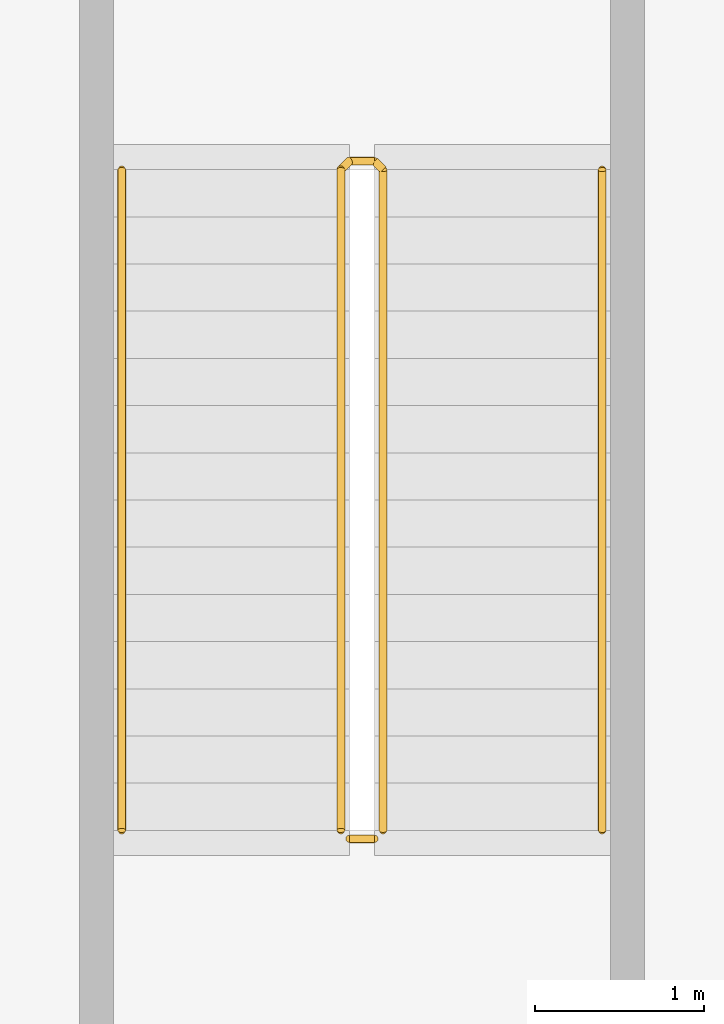
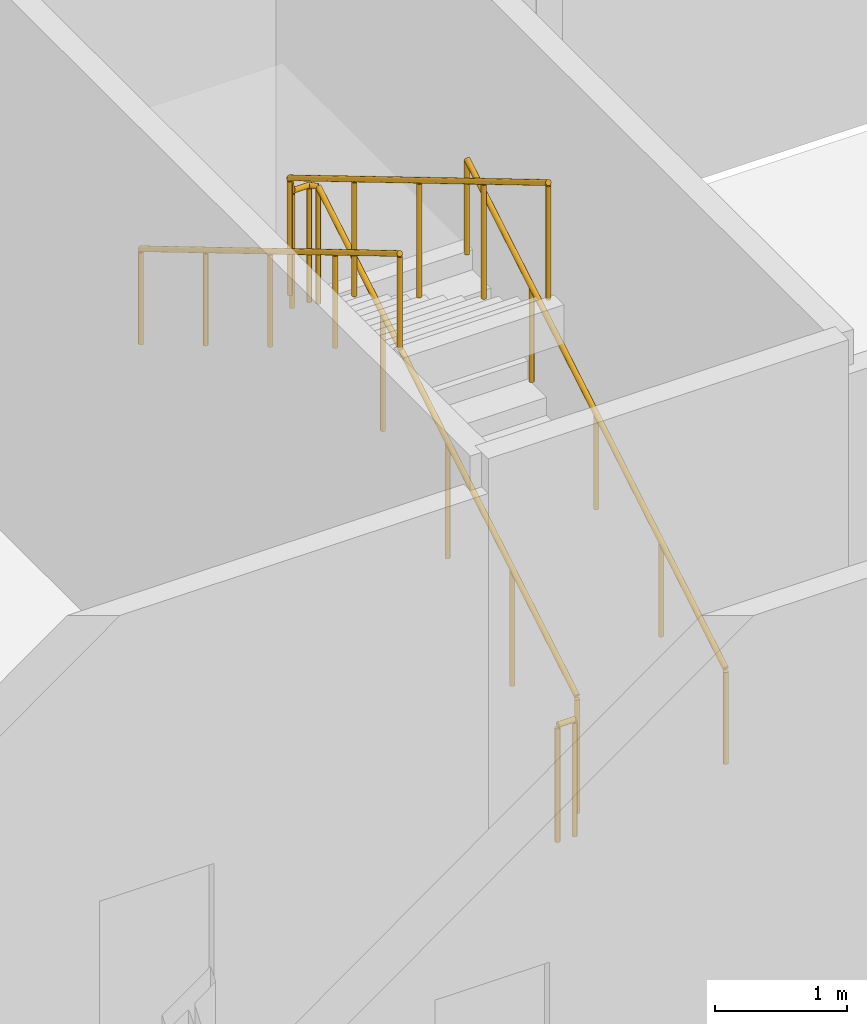
# One storey, part 45 of 47: 4 railings.
"""IFC4 building model written with IfcOpenShell, lengths in metres."""

from ifc_helpers import new_model, si_unit, direction, frame, origin, origin_2d, place, context, subcontext, project, spatial, circle, extrude, material, type_object, element, save


model = new_model("IFC4")

# Units and contexts
model_context = context("Model", 3, precision=1e-05, world=origin(), true_north=direction((0.0, 1.0)))
body_context = subcontext(model_context, "Body", "Model", "MODEL_VIEW")
ifc_project = project(units=[si_unit("LENGTHUNIT", "METRE"), si_unit("AREAUNIT", "SQUARE_METRE"), si_unit("VOLUMEUNIT", "CUBIC_METRE"), si_unit("PLANEANGLEUNIT", "RADIAN"), si_unit("MASSUNIT", "GRAM", prefix="KILO")], contexts=[model_context])

# Site, building, storey
site_placement = place(None, origin())
site = spatial("IfcSite", under=ifc_project, at=site_placement, CompositionType="ELEMENT")
building_placement = place(site_placement, origin())
building = spatial("IfcBuilding", under=site, at=building_placement, Name="Kheshtan School and Residences Tower", CompositionType="ELEMENT")
storey_placement = place(building_placement, frame((0.0, 0.0, 7.5)))
storey = spatial("IfcBuildingStorey", under=building, at=storey_placement, Name="L01", CompositionType="ELEMENT", Elevation=7.5)

# Railings
ifc_material_1 = material(Name="Stainless steel balustrade", Category="steel")
railing_type_1 = type_object("IfcRailingType", Name="Stair guard 1100", PredefinedType="GUARDRAIL", material=ifc_material_1)
railing_1_placement = place(storey_placement, frame((63.699951171875, 103.10009765625, 0.166748046875)))
element("IfcRailing", 1, at=railing_1_placement, inside=storey, type_object=railing_type_1, Name="L01 PS-062-102 stair guard 1", PredefinedType="GUARDRAIL", context=body_context, shape_type="SweptSolid", body=[
    extrude(circle(Radius=0.02392578125, at=origin_2d()), frame((0.0, 0.0, 1.076171875), z_axis=(0.0, 0.859296244711, 0.511478214419), x_axis=(-1.0, 0.0, 0.0)), (0.0, 0.0, 1.0), 4.561767578125),
    extrude(circle(Radius=0.02392578125, at=origin_2d()), frame((0.0, 3.919921875, 3.4091796875), z_axis=(-0.707106781187, 0.707106781187, 0.0), x_axis=(-0.707106781187, -0.707106781187, 0.0)), (0.0, 0.0, 1.0), 0.07080078125),
    extrude(circle(Radius=0.02392578125, at=origin_2d()), frame((-0.050048828125, 3.969970703125, 3.4091796875), z_axis=(-1.0, 0.0, 0.0), x_axis=(0.0, -1.0, 0.0)), (0.0, 0.0, 1.0), 0.14990234375),
    extrude(circle(Radius=0.02392578125, at=origin_2d()), frame((-0.199951171875, 3.969970703125, 3.4091796875), z_axis=(-0.27628659633, -0.27628659633, 0.920506074601), x_axis=(0.707106781187, -0.707106781187, 0.0)), (0.0, 0.0, 1.0), 0.18115234375),
    extrude(circle(Radius=0.02392578125, at=origin_2d()), frame((-0.25, 3.919921875, 3.576171875), z_axis=(0.0, -0.859296244711, 0.511478214419), x_axis=(1.0, 0.0, 0.0)), (0.0, 0.0, 1.0), 4.561767578125),
    extrude(circle(Radius=0.02099609375, at=origin_2d()), origin(), (0.0, 0.0, 1.0), 1.052001953125),
    extrude(circle(Radius=0.02099609375, at=origin_2d()), frame((0.0, 0.97998046875, 0.583251953125)), (0.0, 0.0, 1.0), 1.052001953125),
    extrude(circle(Radius=0.02099609375, at=origin_2d()), frame((0.0, 1.9599609375, 1.16650390625)), (0.0, 0.0, 1.0), 1.052001953125),
    extrude(circle(Radius=0.02099609375, at=origin_2d()), frame((0.0, 2.93994140625, 1.75)), (0.0, 0.0, 1.0), 1.052001953125),
    extrude(circle(Radius=0.02099609375, at=origin_2d()), frame((0.0, 3.919921875, 2.333251953125)), (0.0, 0.0, 1.0), 1.052001953125),
    extrude(circle(Radius=0.02099609375, at=origin_2d()), frame((-0.050048828125, 3.969970703125, 2.333251953125)), (0.0, 0.0, 1.0), 1.052001953125),
    extrude(circle(Radius=0.02099609375, at=origin_2d()), frame((-0.199951171875, 3.969970703125, 2.333251953125)), (0.0, 0.0, 1.0), 1.052001953125),
    extrude(circle(Radius=0.02099609375, at=origin_2d()), frame((-0.25, 3.919921875, 2.5)), (0.0, 0.0, 1.0), 1.052001953125),
    extrude(circle(Radius=0.02099609375, at=origin_2d()), frame((-0.25, 2.93994140625, 3.083251953125)), (0.0, 0.0, 1.0), 1.052001953125),
    extrude(circle(Radius=0.02099609375, at=origin_2d()), frame((-0.25, 1.9599609375, 3.66650390625)), (0.0, 0.0, 1.0), 1.052001953125),
    extrude(circle(Radius=0.02099609375, at=origin_2d()), frame((-0.25, 0.97998046875, 4.25)), (0.0, 0.0, 1.0), 1.052001953125),
    extrude(circle(Radius=0.02099609375, at=origin_2d()), frame((-0.25, 0.0, 4.833251953125)), (0.0, 0.0, 1.0), 1.052001953125),
])
railing_2_placement = place(storey_placement, frame((63.64990234375, 103.050048828125, 0.0)))
element("IfcRailing", 2, at=railing_2_placement, inside=storey, type_object=railing_type_1, Name="L01 PS-062-102 stair guard 2", PredefinedType="GUARDRAIL", context=body_context, shape_type="SweptSolid", body=[
    extrude(circle(Radius=0.02392578125, at=origin_2d()), frame((0.0, 0.0, 1.076171875), z_axis=(-1.0, 0.0, 0.0), x_axis=(0.0, -1.0, 0.0)), (0.0, 0.0, 1.0), 0.14990234375),
    extrude(circle(Radius=0.02099609375, at=origin_2d()), origin(), (0.0, 0.0, 1.0), 1.052001953125),
    extrude(circle(Radius=0.02099609375, at=origin_2d()), frame((-0.14990234375, 0.0, 0.0)), (0.0, 0.0, 1.0), 1.052001953125),
])
ifc_material_2 = material(Name="Stainless steel handrail", Category="steel")
railing_type_2 = type_object("IfcRailingType", Name="Stair handrail 900", PredefinedType="HANDRAIL", material=ifc_material_2)
railing_3_placement = place(storey_placement, frame((65.0, 103.10009765625, 0.166748046875)))
element("IfcRailing", 3, at=railing_3_placement, inside=storey, type_object=railing_type_2, Name="L01 PS-062-102 stair handrail 1", PredefinedType="HANDRAIL", context=body_context, shape_type="SweptSolid", body=[
    extrude(circle(Radius=0.02392578125, at=origin_2d()), frame((0.0, 0.0, 0.8759765625), z_axis=(0.0, 0.859296244711, 0.511478214419), x_axis=(-1.0, 0.0, 0.0)), (0.0, 0.0, 1.0), 4.561767578125),
    extrude(circle(Radius=0.02099609375, at=origin_2d()), origin(), (0.0, 0.0, 1.0), 0.851806640625),
    extrude(circle(Radius=0.02099609375, at=origin_2d()), frame((0.0, 0.97998046875, 0.583251953125)), (0.0, 0.0, 1.0), 0.851806640625),
    extrude(circle(Radius=0.02099609375, at=origin_2d()), frame((0.0, 1.9599609375, 1.16650390625)), (0.0, 0.0, 1.0), 0.851806640625),
    extrude(circle(Radius=0.02099609375, at=origin_2d()), frame((0.0, 2.93994140625, 1.75)), (0.0, 0.0, 1.0), 0.851806640625),
    extrude(circle(Radius=0.02099609375, at=origin_2d()), frame((0.0, 3.919921875, 2.333251953125)), (0.0, 0.0, 1.0), 0.851806640625),
])
railing_4_placement = place(storey_placement, frame((62.14990234375, 107.02001953125, 2.666748046875)))
element("IfcRailing", 4, at=railing_4_placement, inside=storey, type_object=railing_type_2, Name="L01 PS-062-102 stair handrail 2", PredefinedType="HANDRAIL", context=body_context, shape_type="SweptSolid", body=[
    extrude(circle(Radius=0.02392578125, at=origin_2d()), frame((0.0, 0.0, 0.8759765625), z_axis=(0.0, -0.859296244711, 0.511478214419), x_axis=(1.0, 0.0, 0.0)), (0.0, 0.0, 1.0), 4.561767578125),
    extrude(circle(Radius=0.02099609375, at=origin_2d()), origin(), (0.0, 0.0, 1.0), 0.851806640625),
    extrude(circle(Radius=0.02099609375, at=origin_2d()), frame((0.0, -0.97998046875, 0.583251953125)), (0.0, 0.0, 1.0), 0.851806640625),
    extrude(circle(Radius=0.02099609375, at=origin_2d()), frame((0.0, -1.9599609375, 1.16650390625)), (0.0, 0.0, 1.0), 0.851806640625),
    extrude(circle(Radius=0.02099609375, at=origin_2d()), frame((0.0, -2.93994140625, 1.75)), (0.0, 0.0, 1.0), 0.851806640625),
    extrude(circle(Radius=0.02099609375, at=origin_2d()), frame((0.0, -3.919921875, 2.333251953125)), (0.0, 0.0, 1.0), 0.851806640625),
])

save(model, "model.ifc")
